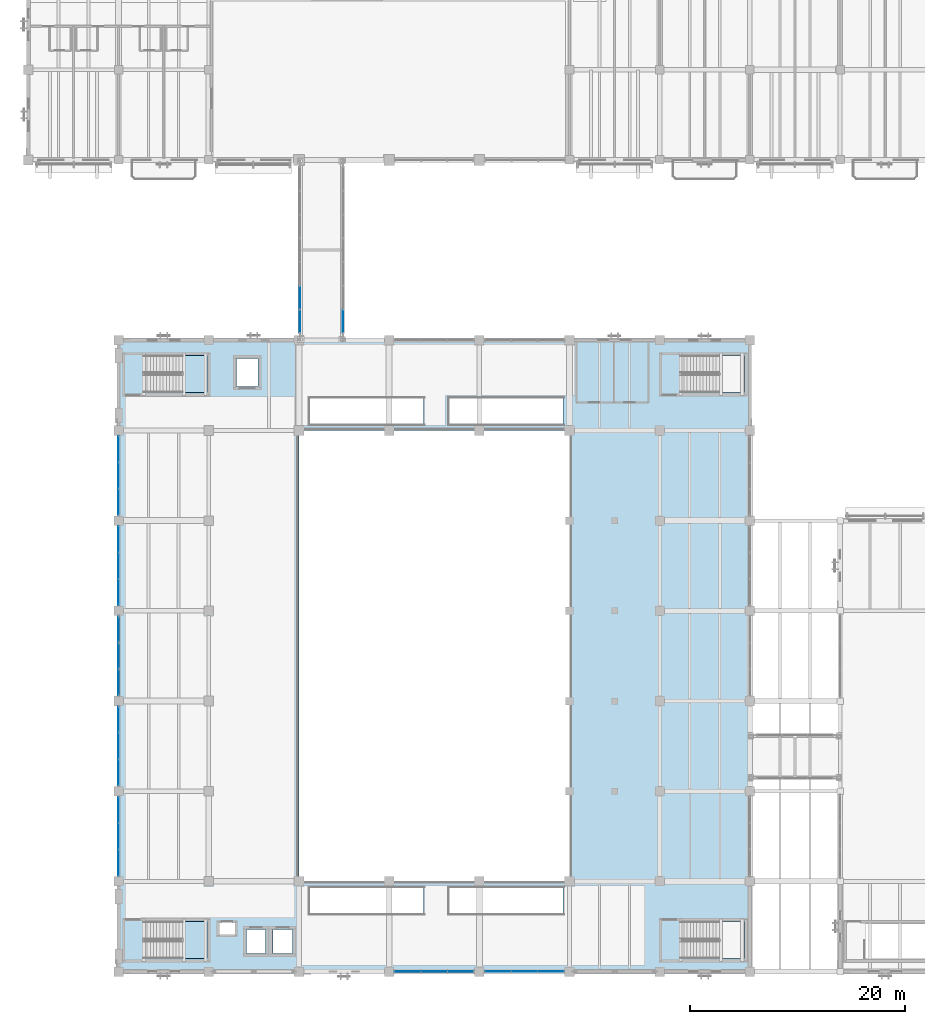
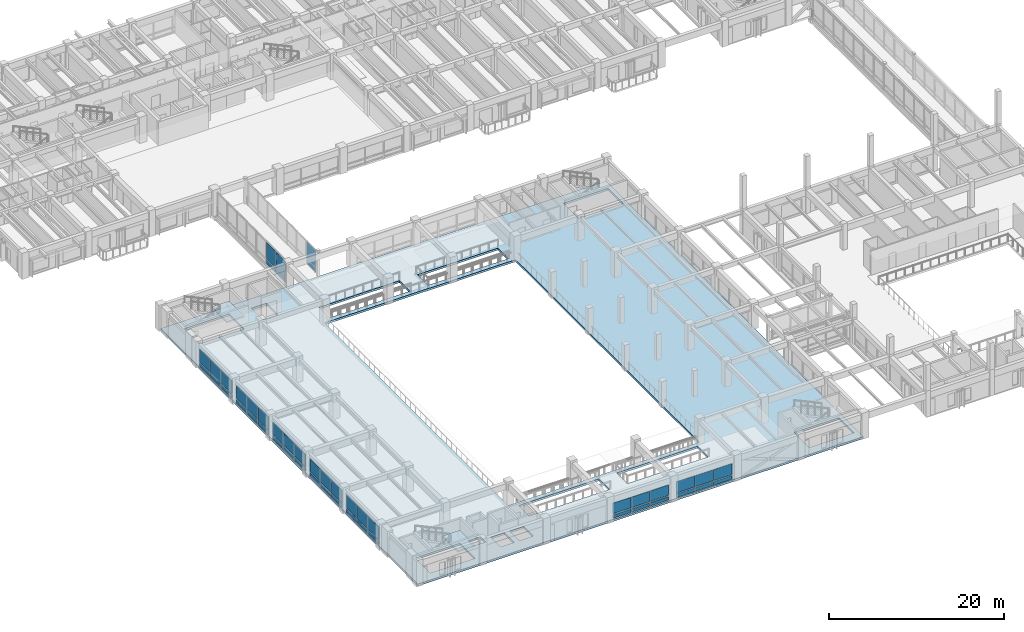
# One storey, part 51 of 118: 48 plates, 3 slabs, 11 elements without a shape of their own.
"""IFC4 building model written with IfcOpenShell, lengths in metres."""

from ifc_helpers import new_model, si_unit, direction, frame, origin, origin_2d, place, context, subcontext, project, spatial, polyline, rectangle, outline, extrude, material, layer, layer_set, type_object, element, aggregate, save


model = new_model("IFC4")

# Units and contexts
model_context = context("Model", 3, precision=1e-05, world=origin(), true_north=direction((0.0, 1.0)))
body_context = subcontext(model_context, "Body", "Model", "MODEL_VIEW")
ifc_project = project(units=[si_unit("LENGTHUNIT", "METRE"), si_unit("AREAUNIT", "SQUARE_METRE"), si_unit("VOLUMEUNIT", "CUBIC_METRE"), si_unit("PLANEANGLEUNIT", "RADIAN"), si_unit("MASSUNIT", "GRAM", prefix="KILO")], contexts=[model_context])

# Site, building, storey
site_placement = place(None, origin())
site = spatial("IfcSite", under=ifc_project, at=site_placement, CompositionType="ELEMENT")
building_placement = place(site_placement, origin())
building = spatial("IfcBuilding", under=site, at=building_placement, Name="Cumbredor Promenade Congress Hotel", CompositionType="ELEMENT")
storey_placement = place(building_placement, frame((0.0, 0.0, 3.919921875)))
storey = spatial("IfcBuildingStorey", under=building, at=storey_placement, Name="L01", CompositionType="ELEMENT", Elevation=3.919921875)

# Stair, slab
ifc_material_1 = material(Name="Concrete C40/50", Category="concrete")
stair_type = type_object("IfcStairType", Name="Protected Dog-Leg Exit Stair ST-T3 1650mm", PredefinedType="HALF_TURN_STAIR", material=ifc_material_1)
stair_1_placement = place(storey_placement, origin())
stair_1 = element("IfcStair", 1, at=stair_1_placement, inside=storey, type_object=stair_type, Name="L01 Protected Exit Stair ST-04", PredefinedType="HALF_TURN_STAIR")
ifc_layer_1 = layer(ifc_material_1, 0.199951171875, Name="Concrete C40/50", Category="concrete")
ifc_layer_set_1 = layer_set([ifc_layer_1], Name="Concrete C40/50")
slab_type_1 = type_object("IfcSlabType", Name="Concrete Stair Landing Slab 200mm", PredefinedType="LANDING", material=ifc_layer_set_1)
slab_1_placement = place(storey_placement, frame((0.0, 0.0, 1.6201171875)))
slab_1 = element("IfcSlab", 2, at=slab_1_placement, type_object=slab_type_1, Name="ST-04 landing 1", PredefinedType="LANDING", context=body_context, shape_type="SweptSolid", body=[
    extrude(outline(polyline([(14.35009765625, 9.60009765625), (16.64990234375, 9.60009765625), (16.64990234375, 13.050048828125), (14.35009765625, 13.050048828125), (14.35009765625, 9.60009765625)])), origin(), (0.0, 0.0, 1.0), 0.199951171875),
])
aggregate(stair_1, [slab_1])

stair_2_placement = place(storey_placement, origin())
stair_2 = element("IfcStair", 3, at=stair_2_placement, inside=storey, type_object=stair_type, Name="L01 Protected Exit Stair ST-06", PredefinedType="HALF_TURN_STAIR")
slab_2_placement = place(storey_placement, frame((0.0, 0.0, 1.6201171875)))
slab_2 = element("IfcSlab", 4, at=slab_2_placement, type_object=slab_type_1, Name="ST-06 landing 1", PredefinedType="LANDING", context=body_context, shape_type="SweptSolid", body=[
    extrude(outline(polyline([(14.35009765625, 62.35009765625), (16.64990234375, 62.35009765625), (16.64990234375, 65.800048828125), (14.35009765625, 65.800048828125), (14.35009765625, 62.35009765625)])), origin(), (0.0, 0.0, 1.0), 0.199951171875),
])
aggregate(stair_2, [slab_2])

# Curtain wall, plates
ifc_material_2 = material(Name="Thermally broken anodized aluminium and low-E glass", Category="aluminium")
curtain_wall_type_1 = type_object("IfcCurtainWallType", Name="Unitised Bridge Glazing Screen CW-05", PredefinedType="NOTDEFINED", material=ifc_material_2)
curtain_wall_1_placement = place(storey_placement, origin())
curtain_wall_1 = element("IfcCurtainWall", 5, at=curtain_wall_1_placement, inside=storey, type_object=curtain_wall_type_1, Name="L01 West Congress-to-Hotel Glazed Bridge West Glazing Screen", PredefinedType="NOTDEFINED")
ifc_material_3 = material(Name="Laminated low-E solar-control glass", Category="glass")
ifc_layer_2 = layer(ifc_material_3, 0.030029296875, Name="Laminated low-E solar-control glass", Category="glass")
ifc_layer_set_2 = layer_set([ifc_layer_2], Name="Laminated low-E solar-control glass")
plate_type_1 = type_object("IfcPlateType", Name="Glazed Bridge Panel PNL-04", PredefinedType="CURTAIN_PANEL", material=ifc_layer_set_2)
plate_1_placement = place(storey_placement, frame((25.280029296875, 68.9658203125, 0.78515625), z_axis=(0.0, 0.0, 1.0), x_axis=(0.0, 1.0, 0.0)))
plate_1 = element("IfcPlate", 6, at=plate_1_placement, type_object=plate_type_1, Name="L01 West Congress-to-Hotel Glazed Bridge West Glazing Screen Glazing Panel 1.2", PredefinedType="CURTAIN_PANEL", context=body_context, shape_type="SweptSolid", body=[
    extrude(rectangle(XDim=2.146484375, YDim=0.030029296875, at=origin_2d()), origin(), (0.0, 0.0, 1.0), 2.340087890625),
])
plate_2_placement = place(storey_placement, frame((25.280029296875, 71.177001953125, 0.78515625), z_axis=(0.0, 0.0, 1.0), x_axis=(0.0, 1.0, 0.0)))
plate_2 = element("IfcPlate", 7, at=plate_2_placement, type_object=plate_type_1, Name="L01 West Congress-to-Hotel Glazed Bridge West Glazing Screen Glazing Panel 2.2", PredefinedType="CURTAIN_PANEL", context=body_context, shape_type="SweptSolid", body=[
    extrude(rectangle(XDim=2.146484375, YDim=0.030029296875, at=origin_2d()), origin(), (0.0, 0.0, 1.0), 2.340087890625),
])

# Curtain wall, plate
curtain_wall_2_placement = place(storey_placement, origin())
curtain_wall_2 = element("IfcCurtainWall", 8, at=curtain_wall_2_placement, inside=storey, type_object=curtain_wall_type_1, Name="L01 West Congress-to-Hotel Glazed Bridge East Glazing Screen", PredefinedType="NOTDEFINED")
plate_3_placement = place(storey_placement, frame((29.320068359375, 68.9658203125, 0.78515625), z_axis=(0.0, 0.0, 1.0), x_axis=(0.0, 1.0, 0.0)))
plate_3 = element("IfcPlate", 9, at=plate_3_placement, type_object=plate_type_1, Name="L01 West Congress-to-Hotel Glazed Bridge East Glazing Screen Glazing Panel 1.2", PredefinedType="CURTAIN_PANEL", context=body_context, shape_type="SweptSolid", body=[
    extrude(rectangle(XDim=2.146484375, YDim=0.030029296875, at=origin_2d()), origin(), (0.0, 0.0, 1.0), 2.340087890625),
])

# Curtain wall, plates
curtain_wall_type_2 = type_object("IfcCurtainWallType", Name="Unitised Bronze Curtain Wall CW-01", PredefinedType="NOTDEFINED", material=ifc_material_2)
curtain_wall_3_placement = place(storey_placement, origin())
curtain_wall_3 = element("IfcCurtainWall", 10, at=curtain_wall_3_placement, inside=storey, type_object=curtain_wall_type_2, Name="L01 Plenary Congress Hall South Curtain Wall 5", PredefinedType="NOTDEFINED")
ifc_layer_3 = layer(ifc_material_3, 0.028076171875, Name="Laminated low-E solar-control glass", Category="glass")
ifc_layer_set_3 = layer_set([ifc_layer_3], Name="Laminated low-E solar-control glass")
plate_type_2 = type_object("IfcPlateType", Name="Glazed Vision Panel PNL-01", PredefinedType="CURTAIN_PANEL", material=ifc_layer_set_3)
plate_4_placement = place(storey_placement, frame((43.736572265625, 8.39990234375, 0.78515625), z_axis=(0.0, 0.0, 1.0), x_axis=(1.0, 0.0, 0.0)))
plate_4 = element("IfcPlate", 11, at=plate_4_placement, type_object=plate_type_2, Name="L01 Plenary Congress Hall South Curtain Wall 5 Glazing Panel 1.2", PredefinedType="CURTAIN_PANEL", context=body_context, shape_type="SweptSolid", body=[
    extrude(rectangle(XDim=2.398193359375, YDim=0.028076171875, at=origin_2d()), origin(), (0.0, 0.0, 1.0), 1.530029296875),
])
plate_5_placement = place(storey_placement, frame((46.199951171875, 8.39990234375, 0.78515625), z_axis=(0.0, 0.0, 1.0), x_axis=(1.0, 0.0, 0.0)))
plate_5 = element("IfcPlate", 12, at=plate_5_placement, type_object=plate_type_2, Name="L01 Plenary Congress Hall South Curtain Wall 5 Glazing Panel 2.2", PredefinedType="CURTAIN_PANEL", context=body_context, shape_type="SweptSolid", body=[
    extrude(rectangle(XDim=2.3984375, YDim=0.028076171875, at=origin_2d()), origin(), (0.0, 0.0, 1.0), 1.530029296875),
])
plate_6_placement = place(storey_placement, frame((48.663330078125, 8.39990234375, 0.78515625), z_axis=(0.0, 0.0, 1.0), x_axis=(1.0, 0.0, 0.0)))
plate_6 = element("IfcPlate", 13, at=plate_6_placement, type_object=plate_type_2, Name="L01 Plenary Congress Hall South Curtain Wall 5 Glazing Panel 3.2", PredefinedType="CURTAIN_PANEL", context=body_context, shape_type="SweptSolid", body=[
    extrude(rectangle(XDim=2.398193359375, YDim=0.028076171875, at=origin_2d()), origin(), (0.0, 0.0, 1.0), 1.530029296875),
])

curtain_wall_4_placement = place(storey_placement, origin())
curtain_wall_4 = element("IfcCurtainWall", 14, at=curtain_wall_4_placement, inside=storey, type_object=curtain_wall_type_2, Name="L01 Plenary Congress Hall West Curtain Wall 2", PredefinedType="NOTDEFINED")
plate_7_placement = place(storey_placement, frame((8.39990234375, 18.53662109375, 0.78515625), z_axis=(0.0, 0.0, 1.0), x_axis=(0.0, 1.0, 0.0)))
plate_7 = element("IfcPlate", 15, at=plate_7_placement, type_object=plate_type_2, Name="L01 Plenary Congress Hall West Curtain Wall 2 Glazing Panel 1.2", PredefinedType="CURTAIN_PANEL", context=body_context, shape_type="SweptSolid", body=[
    extrude(rectangle(XDim=2.398193359375, YDim=0.028076171875, at=origin_2d()), origin(), (0.0, 0.0, 1.0), 1.820068359375),
])
plate_8_placement = place(storey_placement, frame((8.39990234375, 21.0, 0.78515625), z_axis=(0.0, 0.0, 1.0), x_axis=(0.0, 1.0, 0.0)))
plate_8 = element("IfcPlate", 16, at=plate_8_placement, type_object=plate_type_2, Name="L01 Plenary Congress Hall West Curtain Wall 2 Glazing Panel 2.2", PredefinedType="CURTAIN_PANEL", context=body_context, shape_type="SweptSolid", body=[
    extrude(rectangle(XDim=2.3984375, YDim=0.028076171875, at=origin_2d()), origin(), (0.0, 0.0, 1.0), 1.820068359375),
])
plate_9_placement = place(storey_placement, frame((8.39990234375, 23.46337890625, 0.78515625), z_axis=(0.0, 0.0, 1.0), x_axis=(0.0, 1.0, 0.0)))
plate_9 = element("IfcPlate", 17, at=plate_9_placement, type_object=plate_type_2, Name="L01 Plenary Congress Hall West Curtain Wall 2 Glazing Panel 3.2", PredefinedType="CURTAIN_PANEL", context=body_context, shape_type="SweptSolid", body=[
    extrude(rectangle(XDim=2.398193359375, YDim=0.028076171875, at=origin_2d()), origin(), (0.0, 0.0, 1.0), 1.820068359375),
])

curtain_wall_5_placement = place(storey_placement, origin())
curtain_wall_5 = element("IfcCurtainWall", 18, at=curtain_wall_5_placement, inside=storey, type_object=curtain_wall_type_2, Name="L01 Plenary Congress Hall West Curtain Wall 5", PredefinedType="NOTDEFINED")
plate_10_placement = place(storey_placement, frame((8.39990234375, 43.736572265625, 0.78515625), z_axis=(0.0, 0.0, 1.0), x_axis=(0.0, 1.0, 0.0)))
plate_10 = element("IfcPlate", 19, at=plate_10_placement, type_object=plate_type_2, Name="L01 Plenary Congress Hall West Curtain Wall 5 Glazing Panel 1.2", PredefinedType="CURTAIN_PANEL", context=body_context, shape_type="SweptSolid", body=[
    extrude(rectangle(XDim=2.398193359375, YDim=0.028076171875, at=origin_2d()), origin(), (0.0, 0.0, 1.0), 1.820068359375),
])
plate_11_placement = place(storey_placement, frame((8.39990234375, 46.199951171875, 0.78515625), z_axis=(0.0, 0.0, 1.0), x_axis=(0.0, 1.0, 0.0)))
plate_11 = element("IfcPlate", 20, at=plate_11_placement, type_object=plate_type_2, Name="L01 Plenary Congress Hall West Curtain Wall 5 Glazing Panel 2.2", PredefinedType="CURTAIN_PANEL", context=body_context, shape_type="SweptSolid", body=[
    extrude(rectangle(XDim=2.3984375, YDim=0.028076171875, at=origin_2d()), origin(), (0.0, 0.0, 1.0), 1.820068359375),
])
plate_12_placement = place(storey_placement, frame((8.39990234375, 48.663330078125, 0.78515625), z_axis=(0.0, 0.0, 1.0), x_axis=(0.0, 1.0, 0.0)))
plate_12 = element("IfcPlate", 21, at=plate_12_placement, type_object=plate_type_2, Name="L01 Plenary Congress Hall West Curtain Wall 5 Glazing Panel 3.2", PredefinedType="CURTAIN_PANEL", context=body_context, shape_type="SweptSolid", body=[
    extrude(rectangle(XDim=2.398193359375, YDim=0.028076171875, at=origin_2d()), origin(), (0.0, 0.0, 1.0), 1.820068359375),
])

curtain_wall_6_placement = place(storey_placement, origin())
curtain_wall_6 = element("IfcCurtainWall", 22, at=curtain_wall_6_placement, inside=storey, type_object=curtain_wall_type_2, Name="L01 Plenary Congress Hall West Curtain Wall 3", PredefinedType="NOTDEFINED")
ifc_layer_4 = layer(ifc_material_3, 0.031982421875, Name="Laminated low-E solar-control glass", Category="glass")
ifc_layer_set_4 = layer_set([ifc_layer_4], Name="Laminated low-E solar-control glass")
plate_type_3 = type_object("IfcPlateType", Name="Glazed Vision Panel PNL-02", PredefinedType="CURTAIN_PANEL", material=ifc_layer_set_4)
plate_13_placement = place(storey_placement, frame((8.39990234375, 26.936767578125, 0.795166015625), z_axis=(0.0, 0.0, 1.0), x_axis=(0.0, 1.0, 0.0)))
plate_13 = element("IfcPlate", 23, at=plate_13_placement, type_object=plate_type_3, Name="L01 Plenary Congress Hall West Curtain Wall 3 Glazing Panel 1.2", PredefinedType="CURTAIN_PANEL", context=body_context, shape_type="SweptSolid", body=[
    extrude(rectangle(XDim=2.38818359375, YDim=0.031982421875, at=origin_2d()), origin(), (0.0, 0.0, 1.0), 1.7900390625),
])
plate_14_placement = place(storey_placement, frame((8.39990234375, 29.39990234375, 0.795166015625), z_axis=(0.0, 0.0, 1.0), x_axis=(0.0, 1.0, 0.0)))
plate_14 = element("IfcPlate", 24, at=plate_14_placement, type_object=plate_type_3, Name="L01 Plenary Congress Hall West Curtain Wall 3 Glazing Panel 2.2", PredefinedType="CURTAIN_PANEL", context=body_context, shape_type="SweptSolid", body=[
    extrude(rectangle(XDim=2.388427734375, YDim=0.031982421875, at=origin_2d()), origin(), (0.0, 0.0, 1.0), 1.7900390625),
])
plate_15_placement = place(storey_placement, frame((8.39990234375, 31.86328125, 0.795166015625), z_axis=(0.0, 0.0, 1.0), x_axis=(0.0, 1.0, 0.0)))
plate_15 = element("IfcPlate", 25, at=plate_15_placement, type_object=plate_type_3, Name="L01 Plenary Congress Hall West Curtain Wall 3 Glazing Panel 3.2", PredefinedType="CURTAIN_PANEL", context=body_context, shape_type="SweptSolid", body=[
    extrude(rectangle(XDim=2.38818359375, YDim=0.031982421875, at=origin_2d()), origin(), (0.0, 0.0, 1.0), 1.7900390625),
])

curtain_wall_7_placement = place(storey_placement, origin())
curtain_wall_7 = element("IfcCurtainWall", 26, at=curtain_wall_7_placement, inside=storey, type_object=curtain_wall_type_2, Name="L01 Plenary Congress Hall West Curtain Wall 6", PredefinedType="NOTDEFINED")
plate_16_placement = place(storey_placement, frame((8.39990234375, 52.13671875, 0.795166015625), z_axis=(0.0, 0.0, 1.0), x_axis=(0.0, 1.0, 0.0)))
plate_16 = element("IfcPlate", 27, at=plate_16_placement, type_object=plate_type_3, Name="L01 Plenary Congress Hall West Curtain Wall 6 Glazing Panel 1.2", PredefinedType="CURTAIN_PANEL", context=body_context, shape_type="SweptSolid", body=[
    extrude(rectangle(XDim=2.38818359375, YDim=0.031982421875, at=origin_2d()), origin(), (0.0, 0.0, 1.0), 1.7900390625),
])
plate_17_placement = place(storey_placement, frame((8.39990234375, 54.60009765625, 0.795166015625), z_axis=(0.0, 0.0, 1.0), x_axis=(0.0, 1.0, 0.0)))
plate_17 = element("IfcPlate", 28, at=plate_17_placement, type_object=plate_type_3, Name="L01 Plenary Congress Hall West Curtain Wall 6 Glazing Panel 2.2", PredefinedType="CURTAIN_PANEL", context=body_context, shape_type="SweptSolid", body=[
    extrude(rectangle(XDim=2.388427734375, YDim=0.031982421875, at=origin_2d()), origin(), (0.0, 0.0, 1.0), 1.7900390625),
])
plate_18_placement = place(storey_placement, frame((8.39990234375, 57.063232421875, 0.795166015625), z_axis=(0.0, 0.0, 1.0), x_axis=(0.0, 1.0, 0.0)))
plate_18 = element("IfcPlate", 29, at=plate_18_placement, type_object=plate_type_3, Name="L01 Plenary Congress Hall West Curtain Wall 6 Glazing Panel 3.2", PredefinedType="CURTAIN_PANEL", context=body_context, shape_type="SweptSolid", body=[
    extrude(rectangle(XDim=2.38818359375, YDim=0.031982421875, at=origin_2d()), origin(), (0.0, 0.0, 1.0), 1.7900390625),
])

curtain_wall_8_placement = place(storey_placement, origin())
curtain_wall_8 = element("IfcCurtainWall", 30, at=curtain_wall_8_placement, inside=storey, type_object=curtain_wall_type_2, Name="L01 Plenary Congress Hall South Curtain Wall 4", PredefinedType="NOTDEFINED")
ifc_layer_5 = layer(ifc_material_3, 0.028076171875, Name="Laminated low-E solar-control glass", Category="glass")
ifc_layer_set_5 = layer_set([ifc_layer_5], Name="Laminated low-E solar-control glass")
plate_type_4 = type_object("IfcPlateType", Name="Glazed Vision Panel PNL-03", PredefinedType="CURTAIN_PANEL", material=ifc_layer_set_5)
plate_19_placement = place(storey_placement, frame((35.336669921875, 8.39990234375, 0.81005859375), z_axis=(0.0, 0.0, 1.0), x_axis=(1.0, 0.0, 0.0)))
plate_19 = element("IfcPlate", 31, at=plate_19_placement, type_object=plate_type_4, Name="L01 Plenary Congress Hall South Curtain Wall 4 Glazing Panel 1.2", PredefinedType="CURTAIN_PANEL", context=body_context, shape_type="SweptSolid", body=[
    extrude(rectangle(XDim=2.38330078125, YDim=0.028076171875, at=origin_2d()), origin(), (0.0, 0.0, 1.0), 1.4599609375),
])
plate_20_placement = place(storey_placement, frame((37.800048828125, 8.39990234375, 0.81005859375), z_axis=(0.0, 0.0, 1.0), x_axis=(1.0, 0.0, 0.0)))
plate_20 = element("IfcPlate", 32, at=plate_20_placement, type_object=plate_type_4, Name="L01 Plenary Congress Hall South Curtain Wall 4 Glazing Panel 2.2", PredefinedType="CURTAIN_PANEL", context=body_context, shape_type="SweptSolid", body=[
    extrude(rectangle(XDim=2.38330078125, YDim=0.028076171875, at=origin_2d()), origin(), (0.0, 0.0, 1.0), 1.4599609375),
])
plate_21_placement = place(storey_placement, frame((40.263427734375, 8.39990234375, 0.81005859375), z_axis=(0.0, 0.0, 1.0), x_axis=(1.0, 0.0, 0.0)))
plate_21 = element("IfcPlate", 33, at=plate_21_placement, type_object=plate_type_4, Name="L01 Plenary Congress Hall South Curtain Wall 4 Glazing Panel 3.2", PredefinedType="CURTAIN_PANEL", context=body_context, shape_type="SweptSolid", body=[
    extrude(rectangle(XDim=2.38330078125, YDim=0.028076171875, at=origin_2d()), origin(), (0.0, 0.0, 1.0), 1.4599609375),
])

curtain_wall_9_placement = place(storey_placement, origin())
curtain_wall_9 = element("IfcCurtainWall", 34, at=curtain_wall_9_placement, inside=storey, type_object=curtain_wall_type_2, Name="L01 Plenary Congress Hall West Curtain Wall 4", PredefinedType="NOTDEFINED")
plate_22_placement = place(storey_placement, frame((8.39990234375, 35.336669921875, 0.81005859375), z_axis=(0.0, 0.0, 1.0), x_axis=(0.0, 1.0, 0.0)))
plate_22 = element("IfcPlate", 35, at=plate_22_placement, type_object=plate_type_4, Name="L01 Plenary Congress Hall West Curtain Wall 4 Glazing Panel 1.2", PredefinedType="CURTAIN_PANEL", context=body_context, shape_type="SweptSolid", body=[
    extrude(rectangle(XDim=2.38330078125, YDim=0.028076171875, at=origin_2d()), origin(), (0.0, 0.0, 1.0), 1.739990234375),
])
plate_23_placement = place(storey_placement, frame((8.39990234375, 37.800048828125, 0.81005859375), z_axis=(0.0, 0.0, 1.0), x_axis=(0.0, 1.0, 0.0)))
plate_23 = element("IfcPlate", 36, at=plate_23_placement, type_object=plate_type_4, Name="L01 Plenary Congress Hall West Curtain Wall 4 Glazing Panel 2.2", PredefinedType="CURTAIN_PANEL", context=body_context, shape_type="SweptSolid", body=[
    extrude(rectangle(XDim=2.38330078125, YDim=0.028076171875, at=origin_2d()), origin(), (0.0, 0.0, 1.0), 1.739990234375),
])
plate_24_placement = place(storey_placement, frame((8.39990234375, 40.263427734375, 0.81005859375), z_axis=(0.0, 0.0, 1.0), x_axis=(0.0, 1.0, 0.0)))
plate_24 = element("IfcPlate", 37, at=plate_24_placement, type_object=plate_type_4, Name="L01 Plenary Congress Hall West Curtain Wall 4 Glazing Panel 3.2", PredefinedType="CURTAIN_PANEL", context=body_context, shape_type="SweptSolid", body=[
    extrude(rectangle(XDim=2.38330078125, YDim=0.028076171875, at=origin_2d()), origin(), (0.0, 0.0, 1.0), 1.739990234375),
])

# Plate
ifc_material_4 = material(Name="Thermally broken anodized aluminium", Category="aluminium")
ifc_layer_6 = layer(ifc_material_4, 0.0400390625, Name="Thermally broken anodized aluminium", Category="aluminium")
ifc_layer_set_6 = layer_set([ifc_layer_6], Name="Thermally broken anodized aluminium")
plate_type_5 = type_object("IfcPlateType", Name="Insulated Spandrel Panel PNL-05", PredefinedType="CURTAIN_PANEL", material=ifc_layer_set_6)
plate_25_placement = place(storey_placement, frame((43.736572265625, 8.39990234375, 0.125), z_axis=(0.0, 0.0, 1.0), x_axis=(1.0, 0.0, 0.0)))
plate_25 = element("IfcPlate", 38, at=plate_25_placement, type_object=plate_type_5, Name="L01 Plenary Congress Hall South Curtain Wall 5 Spandrel Panel 1.1", PredefinedType="CURTAIN_PANEL", context=body_context, shape_type="SweptSolid", body=[
    extrude(rectangle(XDim=2.398193359375, YDim=0.0400390625, at=origin_2d()), origin(), (0.0, 0.0, 1.0), 0.530029296875),
])

plate_26_placement = place(storey_placement, frame((46.199951171875, 8.39990234375, 0.125), z_axis=(0.0, 0.0, 1.0), x_axis=(1.0, 0.0, 0.0)))
plate_26 = element("IfcPlate", 39, at=plate_26_placement, type_object=plate_type_5, Name="L01 Plenary Congress Hall South Curtain Wall 5 Spandrel Panel 2.1", PredefinedType="CURTAIN_PANEL", context=body_context, shape_type="SweptSolid", body=[
    extrude(rectangle(XDim=2.3984375, YDim=0.0400390625, at=origin_2d()), origin(), (0.0, 0.0, 1.0), 0.530029296875),
])

plate_27_placement = place(storey_placement, frame((48.663330078125, 8.39990234375, 0.125), z_axis=(0.0, 0.0, 1.0), x_axis=(1.0, 0.0, 0.0)))
plate_27 = element("IfcPlate", 40, at=plate_27_placement, type_object=plate_type_5, Name="L01 Plenary Congress Hall South Curtain Wall 5 Spandrel Panel 3.1", PredefinedType="CURTAIN_PANEL", context=body_context, shape_type="SweptSolid", body=[
    extrude(rectangle(XDim=2.398193359375, YDim=0.0400390625, at=origin_2d()), origin(), (0.0, 0.0, 1.0), 0.530029296875),
])

aggregate(curtain_wall_3, [plate_25, plate_4, plate_26, plate_5, plate_27, plate_6])

plate_28_placement = place(storey_placement, frame((8.39990234375, 26.936767578125, 0.1552734375), z_axis=(0.0, 0.0, 1.0), x_axis=(0.0, 1.0, 0.0)))
plate_28 = element("IfcPlate", 41, at=plate_28_placement, type_object=plate_type_5, Name="L01 Plenary Congress Hall West Curtain Wall 3 Spandrel Panel 1.1", PredefinedType="CURTAIN_PANEL", context=body_context, shape_type="SweptSolid", body=[
    extrude(rectangle(XDim=2.38818359375, YDim=0.0400390625, at=origin_2d()), origin(), (0.0, 0.0, 1.0), 0.489990234375),
])

plate_29_placement = place(storey_placement, frame((8.39990234375, 29.39990234375, 0.1552734375), z_axis=(0.0, 0.0, 1.0), x_axis=(0.0, 1.0, 0.0)))
plate_29 = element("IfcPlate", 42, at=plate_29_placement, type_object=plate_type_5, Name="L01 Plenary Congress Hall West Curtain Wall 3 Spandrel Panel 2.1", PredefinedType="CURTAIN_PANEL", context=body_context, shape_type="SweptSolid", body=[
    extrude(rectangle(XDim=2.388427734375, YDim=0.0400390625, at=origin_2d()), origin(), (0.0, 0.0, 1.0), 0.489990234375),
])

plate_30_placement = place(storey_placement, frame((8.39990234375, 31.86328125, 0.1552734375), z_axis=(0.0, 0.0, 1.0), x_axis=(0.0, 1.0, 0.0)))
plate_30 = element("IfcPlate", 43, at=plate_30_placement, type_object=plate_type_5, Name="L01 Plenary Congress Hall West Curtain Wall 3 Spandrel Panel 3.1", PredefinedType="CURTAIN_PANEL", context=body_context, shape_type="SweptSolid", body=[
    extrude(rectangle(XDim=2.38818359375, YDim=0.0400390625, at=origin_2d()), origin(), (0.0, 0.0, 1.0), 0.489990234375),
])

aggregate(curtain_wall_6, [plate_28, plate_13, plate_29, plate_14, plate_30, plate_15])

plate_31_placement = place(storey_placement, frame((8.39990234375, 43.736572265625, 0.125), z_axis=(0.0, 0.0, 1.0), x_axis=(0.0, 1.0, 0.0)))
plate_31 = element("IfcPlate", 44, at=plate_31_placement, type_object=plate_type_5, Name="L01 Plenary Congress Hall West Curtain Wall 5 Spandrel Panel 1.1", PredefinedType="CURTAIN_PANEL", context=body_context, shape_type="SweptSolid", body=[
    extrude(rectangle(XDim=2.398193359375, YDim=0.0400390625, at=origin_2d()), origin(), (0.0, 0.0, 1.0), 0.530029296875),
])

plate_32_placement = place(storey_placement, frame((8.39990234375, 46.199951171875, 0.125), z_axis=(0.0, 0.0, 1.0), x_axis=(0.0, 1.0, 0.0)))
plate_32 = element("IfcPlate", 45, at=plate_32_placement, type_object=plate_type_5, Name="L01 Plenary Congress Hall West Curtain Wall 5 Spandrel Panel 2.1", PredefinedType="CURTAIN_PANEL", context=body_context, shape_type="SweptSolid", body=[
    extrude(rectangle(XDim=2.3984375, YDim=0.0400390625, at=origin_2d()), origin(), (0.0, 0.0, 1.0), 0.530029296875),
])

plate_33_placement = place(storey_placement, frame((8.39990234375, 48.663330078125, 0.125), z_axis=(0.0, 0.0, 1.0), x_axis=(0.0, 1.0, 0.0)))
plate_33 = element("IfcPlate", 46, at=plate_33_placement, type_object=plate_type_5, Name="L01 Plenary Congress Hall West Curtain Wall 5 Spandrel Panel 3.1", PredefinedType="CURTAIN_PANEL", context=body_context, shape_type="SweptSolid", body=[
    extrude(rectangle(XDim=2.398193359375, YDim=0.0400390625, at=origin_2d()), origin(), (0.0, 0.0, 1.0), 0.530029296875),
])

aggregate(curtain_wall_5, [plate_31, plate_10, plate_32, plate_11, plate_33, plate_12])

ifc_layer_7 = layer(ifc_material_4, 0.0400390625, Name="Thermally broken anodized aluminium", Category="aluminium")
ifc_layer_set_7 = layer_set([ifc_layer_7], Name="Thermally broken anodized aluminium")
plate_type_6 = type_object("IfcPlateType", Name="Insulated Spandrel Panel PNL-06", PredefinedType="CURTAIN_PANEL", material=ifc_layer_set_7)
plate_34_placement = place(storey_placement, frame((35.336669921875, 8.39990234375, 0.18017578125), z_axis=(0.0, 0.0, 1.0), x_axis=(1.0, 0.0, 0.0)))
plate_34 = element("IfcPlate", 47, at=plate_34_placement, type_object=plate_type_6, Name="L01 Plenary Congress Hall South Curtain Wall 4 Spandrel Panel 1.1", PredefinedType="CURTAIN_PANEL", context=body_context, shape_type="SweptSolid", body=[
    extrude(rectangle(XDim=2.38330078125, YDim=0.0400390625, at=origin_2d()), origin(), (0.0, 0.0, 1.0), 0.449951171875),
])

plate_35_placement = place(storey_placement, frame((37.800048828125, 8.39990234375, 0.18017578125), z_axis=(0.0, 0.0, 1.0), x_axis=(1.0, 0.0, 0.0)))
plate_35 = element("IfcPlate", 48, at=plate_35_placement, type_object=plate_type_6, Name="L01 Plenary Congress Hall South Curtain Wall 4 Spandrel Panel 2.1", PredefinedType="CURTAIN_PANEL", context=body_context, shape_type="SweptSolid", body=[
    extrude(rectangle(XDim=2.38330078125, YDim=0.0400390625, at=origin_2d()), origin(), (0.0, 0.0, 1.0), 0.449951171875),
])

plate_36_placement = place(storey_placement, frame((40.263427734375, 8.39990234375, 0.18017578125), z_axis=(0.0, 0.0, 1.0), x_axis=(1.0, 0.0, 0.0)))
plate_36 = element("IfcPlate", 49, at=plate_36_placement, type_object=plate_type_6, Name="L01 Plenary Congress Hall South Curtain Wall 4 Spandrel Panel 3.1", PredefinedType="CURTAIN_PANEL", context=body_context, shape_type="SweptSolid", body=[
    extrude(rectangle(XDim=2.38330078125, YDim=0.0400390625, at=origin_2d()), origin(), (0.0, 0.0, 1.0), 0.449951171875),
])

aggregate(curtain_wall_8, [plate_34, plate_19, plate_35, plate_20, plate_36, plate_21])

plate_37_placement = place(storey_placement, frame((8.39990234375, 18.53662109375, 0.125), z_axis=(0.0, 0.0, 1.0), x_axis=(0.0, 1.0, 0.0)))
plate_37 = element("IfcPlate", 50, at=plate_37_placement, type_object=plate_type_6, Name="L01 Plenary Congress Hall West Curtain Wall 2 Spandrel Panel 1.1", PredefinedType="CURTAIN_PANEL", context=body_context, shape_type="SweptSolid", body=[
    extrude(rectangle(XDim=2.398193359375, YDim=0.0400390625, at=origin_2d()), origin(), (0.0, 0.0, 1.0), 0.530029296875),
])

plate_38_placement = place(storey_placement, frame((8.39990234375, 21.0, 0.125), z_axis=(0.0, 0.0, 1.0), x_axis=(0.0, 1.0, 0.0)))
plate_38 = element("IfcPlate", 51, at=plate_38_placement, type_object=plate_type_6, Name="L01 Plenary Congress Hall West Curtain Wall 2 Spandrel Panel 2.1", PredefinedType="CURTAIN_PANEL", context=body_context, shape_type="SweptSolid", body=[
    extrude(rectangle(XDim=2.3984375, YDim=0.0400390625, at=origin_2d()), origin(), (0.0, 0.0, 1.0), 0.530029296875),
])

plate_39_placement = place(storey_placement, frame((8.39990234375, 23.46337890625, 0.125), z_axis=(0.0, 0.0, 1.0), x_axis=(0.0, 1.0, 0.0)))
plate_39 = element("IfcPlate", 52, at=plate_39_placement, type_object=plate_type_6, Name="L01 Plenary Congress Hall West Curtain Wall 2 Spandrel Panel 3.1", PredefinedType="CURTAIN_PANEL", context=body_context, shape_type="SweptSolid", body=[
    extrude(rectangle(XDim=2.398193359375, YDim=0.0400390625, at=origin_2d()), origin(), (0.0, 0.0, 1.0), 0.530029296875),
])

aggregate(curtain_wall_4, [plate_37, plate_7, plate_38, plate_8, plate_39, plate_9])

plate_40_placement = place(storey_placement, frame((8.39990234375, 35.336669921875, 0.18017578125), z_axis=(0.0, 0.0, 1.0), x_axis=(0.0, 1.0, 0.0)))
plate_40 = element("IfcPlate", 53, at=plate_40_placement, type_object=plate_type_6, Name="L01 Plenary Congress Hall West Curtain Wall 4 Spandrel Panel 1.1", PredefinedType="CURTAIN_PANEL", context=body_context, shape_type="SweptSolid", body=[
    extrude(rectangle(XDim=2.38330078125, YDim=0.0400390625, at=origin_2d()), origin(), (0.0, 0.0, 1.0), 0.449951171875),
])

plate_41_placement = place(storey_placement, frame((8.39990234375, 37.800048828125, 0.18017578125), z_axis=(0.0, 0.0, 1.0), x_axis=(0.0, 1.0, 0.0)))
plate_41 = element("IfcPlate", 54, at=plate_41_placement, type_object=plate_type_6, Name="L01 Plenary Congress Hall West Curtain Wall 4 Spandrel Panel 2.1", PredefinedType="CURTAIN_PANEL", context=body_context, shape_type="SweptSolid", body=[
    extrude(rectangle(XDim=2.38330078125, YDim=0.0400390625, at=origin_2d()), origin(), (0.0, 0.0, 1.0), 0.449951171875),
])

plate_42_placement = place(storey_placement, frame((8.39990234375, 40.263427734375, 0.18017578125), z_axis=(0.0, 0.0, 1.0), x_axis=(0.0, 1.0, 0.0)))
plate_42 = element("IfcPlate", 55, at=plate_42_placement, type_object=plate_type_6, Name="L01 Plenary Congress Hall West Curtain Wall 4 Spandrel Panel 3.1", PredefinedType="CURTAIN_PANEL", context=body_context, shape_type="SweptSolid", body=[
    extrude(rectangle(XDim=2.38330078125, YDim=0.0400390625, at=origin_2d()), origin(), (0.0, 0.0, 1.0), 0.449951171875),
])

aggregate(curtain_wall_9, [plate_40, plate_22, plate_41, plate_23, plate_42, plate_24])

plate_43_placement = place(storey_placement, frame((8.39990234375, 52.13671875, 0.1552734375), z_axis=(0.0, 0.0, 1.0), x_axis=(0.0, 1.0, 0.0)))
plate_43 = element("IfcPlate", 56, at=plate_43_placement, type_object=plate_type_6, Name="L01 Plenary Congress Hall West Curtain Wall 6 Spandrel Panel 1.1", PredefinedType="CURTAIN_PANEL", context=body_context, shape_type="SweptSolid", body=[
    extrude(rectangle(XDim=2.38818359375, YDim=0.0400390625, at=origin_2d()), origin(), (0.0, 0.0, 1.0), 0.489990234375),
])

plate_44_placement = place(storey_placement, frame((8.39990234375, 54.60009765625, 0.1552734375), z_axis=(0.0, 0.0, 1.0), x_axis=(0.0, 1.0, 0.0)))
plate_44 = element("IfcPlate", 57, at=plate_44_placement, type_object=plate_type_6, Name="L01 Plenary Congress Hall West Curtain Wall 6 Spandrel Panel 2.1", PredefinedType="CURTAIN_PANEL", context=body_context, shape_type="SweptSolid", body=[
    extrude(rectangle(XDim=2.388427734375, YDim=0.0400390625, at=origin_2d()), origin(), (0.0, 0.0, 1.0), 0.489990234375),
])

plate_45_placement = place(storey_placement, frame((8.39990234375, 57.063232421875, 0.1552734375), z_axis=(0.0, 0.0, 1.0), x_axis=(0.0, 1.0, 0.0)))
plate_45 = element("IfcPlate", 58, at=plate_45_placement, type_object=plate_type_6, Name="L01 Plenary Congress Hall West Curtain Wall 6 Spandrel Panel 3.1", PredefinedType="CURTAIN_PANEL", context=body_context, shape_type="SweptSolid", body=[
    extrude(rectangle(XDim=2.38818359375, YDim=0.0400390625, at=origin_2d()), origin(), (0.0, 0.0, 1.0), 0.489990234375),
])

aggregate(curtain_wall_7, [plate_43, plate_16, plate_44, plate_17, plate_45, plate_18])

plate_46_placement = place(storey_placement, frame((25.280029296875, 68.9658203125, 0.125), z_axis=(0.0, 0.0, 1.0), x_axis=(0.0, 1.0, 0.0)))
plate_46 = element("IfcPlate", 59, at=plate_46_placement, type_object=plate_type_6, Name="L01 West Congress-to-Hotel Glazed Bridge West Glazing Screen Spandrel Panel 1.1", PredefinedType="CURTAIN_PANEL", context=body_context, shape_type="SweptSolid", body=[
    extrude(rectangle(XDim=2.146484375, YDim=0.0400390625, at=origin_2d()), origin(), (0.0, 0.0, 1.0), 0.530029296875),
])

plate_47_placement = place(storey_placement, frame((25.280029296875, 71.177001953125, 0.125), z_axis=(0.0, 0.0, 1.0), x_axis=(0.0, 1.0, 0.0)))
plate_47 = element("IfcPlate", 60, at=plate_47_placement, type_object=plate_type_6, Name="L01 West Congress-to-Hotel Glazed Bridge West Glazing Screen Spandrel Panel 2.1", PredefinedType="CURTAIN_PANEL", context=body_context, shape_type="SweptSolid", body=[
    extrude(rectangle(XDim=2.146484375, YDim=0.0400390625, at=origin_2d()), origin(), (0.0, 0.0, 1.0), 0.530029296875),
])

aggregate(curtain_wall_1, [plate_46, plate_1, plate_47, plate_2])

plate_48_placement = place(storey_placement, frame((29.320068359375, 68.9658203125, 0.125), z_axis=(0.0, 0.0, 1.0), x_axis=(0.0, 1.0, 0.0)))
plate_48 = element("IfcPlate", 61, at=plate_48_placement, type_object=plate_type_6, Name="L01 West Congress-to-Hotel Glazed Bridge East Glazing Screen Spandrel Panel 1.1", PredefinedType="CURTAIN_PANEL", context=body_context, shape_type="SweptSolid", body=[
    extrude(rectangle(XDim=2.146484375, YDim=0.0400390625, at=origin_2d()), origin(), (0.0, 0.0, 1.0), 0.530029296875),
])

aggregate(curtain_wall_2, [plate_48, plate_3])

# Slab
ifc_layer_8 = layer(ifc_material_1, 0.280029296875, Name="Concrete C40/50", Category="concrete")
ifc_layer_set_8 = layer_set([ifc_layer_8], Name="Concrete C40/50")
slab_type_2 = type_object("IfcSlabType", Name="Podium Floor Slab 280mm", PredefinedType="FLOOR", material=ifc_layer_set_8)
slab_3_placement = place(storey_placement, frame((0.0, 0.0, -0.280029296875)))
element("IfcSlab", 62, at=slab_3_placement, inside=storey, type_object=slab_type_2, Name="L01 Plenary Congress Hall Floor Slab", PredefinedType="FLOOR", context=body_context, shape_type="SweptSolid", body=[
    extrude(outline(polyline([(8.39990234375, 8.39990234375), (67.199951171875, 8.39990234375), (67.199951171875, 67.199951171875), (8.39990234375, 67.199951171875), (8.39990234375, 8.39990234375)]), holes=[polyline([(10.75, 9.60009765625), (16.64990234375, 9.60009765625), (16.64990234375, 13.050048828125), (10.75, 13.050048828125), (10.75, 9.60009765625)]), polyline([(60.75, 9.60009765625), (66.64990234375, 9.60009765625), (66.64990234375, 13.050048828125), (60.75, 13.050048828125), (60.75, 9.60009765625)]), polyline([(10.75, 62.35009765625), (16.64990234375, 62.35009765625), (16.64990234375, 65.800048828125), (10.75, 65.800048828125), (10.75, 62.35009765625)]), polyline([(60.75, 62.35009765625), (66.64990234375, 62.35009765625), (66.64990234375, 65.800048828125), (60.75, 65.800048828125), (60.75, 62.35009765625)]), polyline([(20.300048828125, 10.10009765625), (22.10009765625, 10.10009765625), (22.10009765625, 12.300048828125), (20.300048828125, 12.300048828125), (20.300048828125, 10.10009765625)]), polyline([(22.800048828125, 10.10009765625), (24.60009765625, 10.10009765625), (24.60009765625, 12.300048828125), (22.800048828125, 12.300048828125), (22.800048828125, 10.10009765625)]), polyline([(19.39990234375, 62.89990234375), (21.39990234375, 62.89990234375), (21.39990234375, 65.5), (19.39990234375, 65.5), (19.39990234375, 62.89990234375)]), polyline([(17.699951171875, 11.800048828125), (19.300048828125, 11.800048828125), (19.300048828125, 13.0), (17.699951171875, 13.0), (17.699951171875, 11.800048828125)]), polyline([(25.199951171875, 16.800048828125), (50.39990234375, 16.800048828125), (50.39990234375, 58.800048828125), (25.199951171875, 58.800048828125), (25.199951171875, 16.800048828125)]), polyline([(26.199951171875, 13.800048828125), (36.800048828125, 13.800048828125), (36.800048828125, 16.199951171875), (26.199951171875, 16.199951171875), (26.199951171875, 13.800048828125)]), polyline([(26.199951171875, 59.39990234375), (36.800048828125, 59.39990234375), (36.800048828125, 61.800048828125), (26.199951171875, 61.800048828125), (26.199951171875, 59.39990234375)]), polyline([(39.199951171875, 13.800048828125), (49.800048828125, 13.800048828125), (49.800048828125, 16.199951171875), (39.199951171875, 16.199951171875), (39.199951171875, 13.800048828125)]), polyline([(39.199951171875, 59.39990234375), (49.800048828125, 59.39990234375), (49.800048828125, 61.800048828125), (39.199951171875, 61.800048828125), (39.199951171875, 59.39990234375)])]), origin(), (0.0, 0.0, 1.0), 0.280029296875),
])

save(model, "model.ifc")
